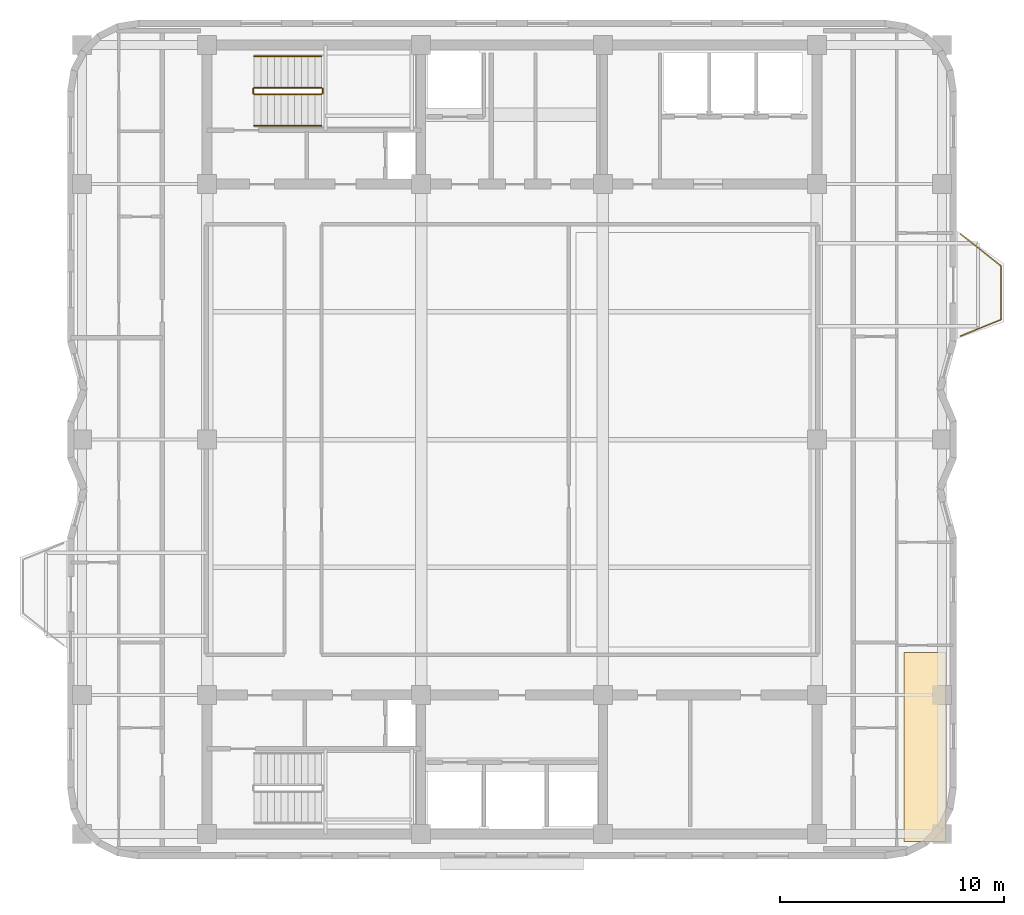
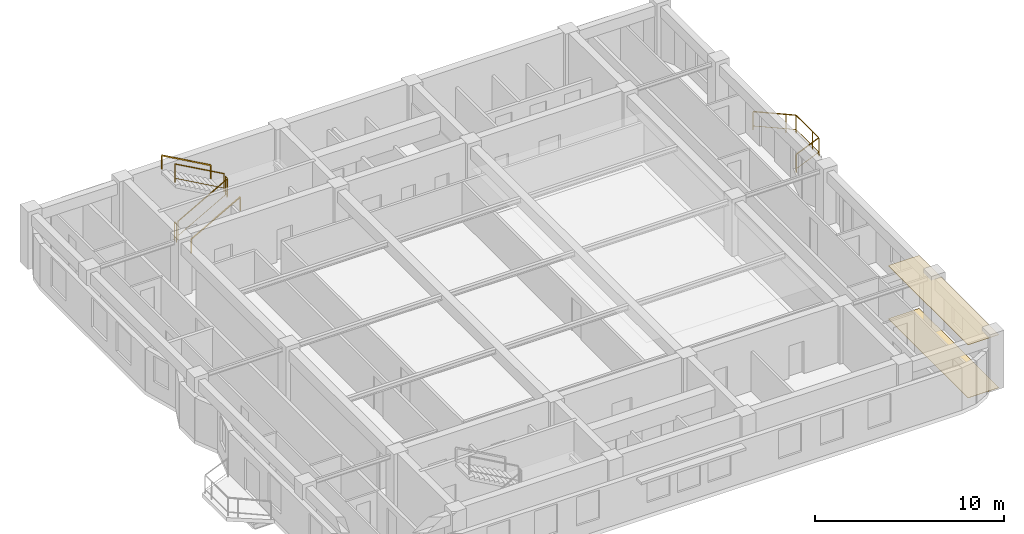
# One storey, part 8 of 8: 7 railings, 2 coverings.
"""IFC4 building model written with IfcOpenShell, lengths in metres."""

from ifc_helpers import new_model, si_unit, direction, frame, origin, origin_2d, place, context, subcontext, project, spatial, polyline, rectangle, outline, extrude, material, layer, layer_set, type_object, element, save


model = new_model("IFC4")

# Units and contexts
model_context = context("Model", 3, precision=1e-05, world=origin(), true_north=direction((0.0, 1.0)))
body_context = subcontext(model_context, "Body", "Model", "MODEL_VIEW")
ifc_project = project(units=[si_unit("LENGTHUNIT", "METRE"), si_unit("AREAUNIT", "SQUARE_METRE"), si_unit("VOLUMEUNIT", "CUBIC_METRE"), si_unit("PLANEANGLEUNIT", "RADIAN"), si_unit("MASSUNIT", "GRAM", prefix="KILO")], contexts=[model_context])

# Site, building, storey
site_placement = place(None, origin())
site = spatial("IfcSite", under=ifc_project, at=site_placement, CompositionType="ELEMENT")
building_placement = place(site_placement, origin())
building = spatial("IfcBuilding", under=site, at=building_placement, Name="Svetorya Sky Lyceum", CompositionType="ELEMENT")
storey_placement = place(building_placement, frame((0.0, 0.0, 248.0)))
storey = spatial("IfcBuildingStorey", under=building, at=storey_placement, Name="L62", CompositionType="ELEMENT", Elevation=248.0)

# Coverings
ifc_material_1 = material(Name="Fire-retardant birch acoustic slat ceiling")
ifc_layer_1 = layer(ifc_material_1, 0.031982421875)
ifc_layer_set_1 = layer_set([ifc_layer_1], Name="Fire-retardant birch acoustic slat ceiling")
covering_type_1 = type_object("IfcCoveringType", Name="COV-CLG-WD32", PredefinedType="CEILING", material=ifc_layer_set_1)
covering_1_placement = place(storey_placement, frame((0.0, 0.0, 3.41796875)))
element("IfcCovering", 1, at=covering_1_placement, inside=storey, type_object=covering_type_1, Name="Apartment E1 Living Room Acoustic Ceiling", PredefinedType="CEILING", context=body_context, shape_type="SweptSolid", body=[
    extrude(outline(polyline([(56.679931640625, 10.280029296875), (58.570068359375, 10.280029296875), (58.570068359375, 18.7099609375), (56.679931640625, 18.7099609375), (56.679931640625, 10.280029296875)])), origin(), (0.0, 0.0, 1.0), 0.031982421875),
])
ifc_material_2 = material(Name="Vitrified porcelain slip-resistant tile flooring")
ifc_layer_2 = layer(ifc_material_2, 0.02587890625)
ifc_layer_set_2 = layer_set([ifc_layer_2], Name="Vitrified porcelain slip-resistant tile flooring")
covering_type_2 = type_object("IfcCoveringType", Name="COV-FLR-POR26", PredefinedType="FLOORING", material=ifc_layer_set_2)
covering_2_placement = place(storey_placement, origin())
element("IfcCovering", 2, at=covering_2_placement, inside=storey, type_object=covering_type_2, Name="Apartment E1 Living Room Architectural Flooring", PredefinedType="FLOORING", context=body_context, shape_type="SweptSolid", body=[
    extrude(outline(polyline([(56.679931640625, 10.280029296875), (58.570068359375, 10.280029296875), (58.570068359375, 18.7099609375), (56.679931640625, 18.7099609375), (56.679931640625, 10.280029296875)])), origin(), (0.0, 0.0, 1.0), 0.02587890625),
])

# Railings
ifc_material_3 = material(Name="Laminated safety glass and stainless AISI 316", Category="glass")
railing_type_1 = type_object("IfcRailingType", Name="RL-BAL-1200", PredefinedType="BALUSTRADE", material=ifc_material_3)
railing_1_placement = place(storey_placement, frame((59.2099609375, 37.3798828125, 0.0)))
element("IfcRailing", 3, at=railing_1_placement, inside=storey, type_object=railing_type_1, Name="L62 Balcony Balustrade BAL-E1", PredefinedType="BALUSTRADE", context=body_context, shape_type="SweptSolid", body=[
    extrude(rectangle(XDim=0.048095703125, YDim=0.048095703125, at=origin_2d()), frame((0.0, 0.0, 1.17578125), z_axis=(0.783008919264, -0.622010476079, 0.0), x_axis=(0.622010476079, 0.783008919264, 0.0)), (0.0, 0.0, 1.0), 2.298828125),
    extrude(rectangle(XDim=0.02392578125, YDim=0.02392578125, at=origin_2d()), frame((0.0, 0.0, 0.25), z_axis=(0.783008919264, -0.622010476079, 0.0), x_axis=(0.622010476079, 0.783008919264, 0.0)), (0.0, 0.0, 1.0), 2.298828125),
    extrude(rectangle(XDim=0.048095703125, YDim=0.048095703125, at=origin_2d()), frame((1.800048828125, -1.429931640625, 1.17578125), z_axis=(0.0, -1.0, 0.0), x_axis=(1.0, 0.0, 0.0)), (0.0, 0.0, 1.0), 2.39990234375),
    extrude(rectangle(XDim=0.02392578125, YDim=0.02392578125, at=origin_2d()), frame((1.800048828125, -1.429931640625, 0.25), z_axis=(0.0, -1.0, 0.0), x_axis=(1.0, 0.0, 0.0)), (0.0, 0.0, 1.0), 2.39990234375),
    extrude(rectangle(XDim=0.048095703125, YDim=0.048095703125, at=origin_2d()), frame((1.800048828125, -3.829833984375, 1.17578125), z_axis=(-0.926697865975, -0.375807218129, 0.0), x_axis=(0.375807218129, -0.926697865975, 0.0)), (0.0, 0.0, 1.0), 1.9423828125),
    extrude(rectangle(XDim=0.02392578125, YDim=0.02392578125, at=origin_2d()), frame((1.800048828125, -3.829833984375, 0.25), z_axis=(-0.926697865975, -0.375807218129, 0.0), x_axis=(0.375807218129, -0.926697865975, 0.0)), (0.0, 0.0, 1.0), 1.9423828125),
    extrude(rectangle(XDim=0.0419921875, YDim=0.0419921875, at=origin_2d()), origin(), (0.0, 0.0, 1.0), 1.15185546875),
    extrude(rectangle(XDim=0.0419921875, YDim=0.0419921875, at=origin_2d()), frame((1.370361328125, -1.088623046875, 0.0)), (0.0, 0.0, 1.0), 1.15185546875),
    extrude(rectangle(XDim=0.0419921875, YDim=0.0419921875, at=origin_2d()), frame((1.800048828125, -1.429931640625, 0.0)), (0.0, 0.0, 1.0), 1.15185546875),
    extrude(rectangle(XDim=0.0419921875, YDim=0.0419921875, at=origin_2d()), frame((1.800048828125, -3.179931640625, 0.0)), (0.0, 0.0, 1.0), 1.15185546875),
    extrude(rectangle(XDim=0.0419921875, YDim=0.0419921875, at=origin_2d()), frame((1.800048828125, -3.829833984375, 0.0)), (0.0, 0.0, 1.0), 1.15185546875),
    extrude(rectangle(XDim=0.0419921875, YDim=0.0419921875, at=origin_2d()), frame((0.0, -4.559814453125, 0.0)), (0.0, 0.0, 1.0), 1.15185546875),
])
ifc_material_4 = material(Name="Painted galvanized stair well guard")
railing_type_2 = type_object("IfcRailingType", Name="RL-STR-GUARD-1200", PredefinedType="GUARDRAIL", material=ifc_material_4)
railing_2_placement = place(storey_placement, frame((27.699951171875, 43.60009765625, 0.168212890625)))
element("IfcRailing", 4, at=railing_2_placement, inside=storey, type_object=railing_type_2, Name="L62 ST-N stair guard 1", PredefinedType="GUARDRAIL", context=body_context, shape_type="SweptSolid", body=[
    extrude(rectangle(XDim=0.048095703125, YDim=0.048095703125, at=origin_2d()), frame((0.0, 0.0, 1.17578125), z_axis=(0.872272294576, 0.0, 0.489020494575), x_axis=(0.0, 1.0, 0.0)), (0.0, 0.0, 1.0), 3.439208984375),
    extrude(rectangle(XDim=0.02392578125, YDim=0.02392578125, at=origin_2d()), frame((0.0, 0.0, 0.25), z_axis=(0.872272294576, 0.0, 0.489020494575), x_axis=(0.0, 1.0, 0.0)), (0.0, 0.0, 1.0), 3.439208984375),
    extrude(rectangle(XDim=0.0419921875, YDim=0.0419921875, at=origin_2d()), origin(), (0.0, 0.0, 1.0), 1.15185546875),
    extrude(rectangle(XDim=0.0419921875, YDim=0.0419921875, at=origin_2d()), frame((3.0, 0.0, 1.681884765625)), (0.0, 0.0, 1.0), 1.15185546875),
])
railing_3_placement = place(storey_placement, frame((30.75, 43.64990234375, 1.85009765625)))
element("IfcRailing", 5, at=railing_3_placement, inside=storey, type_object=railing_type_2, Name="L62 ST-N stair guard 2", PredefinedType="GUARDRAIL", context=body_context, shape_type="SweptSolid", body=[
    extrude(rectangle(XDim=0.048095703125, YDim=0.048095703125, at=origin_2d()), frame((0.0, 0.0, 1.17578125), z_axis=(0.0, 1.0, 0.0), x_axis=(-1.0, 0.0, 0.0)), (0.0, 0.0, 1.0), 0.2001953125),
    extrude(rectangle(XDim=0.02392578125, YDim=0.02392578125, at=origin_2d()), frame((0.0, 0.0, 0.25), z_axis=(0.0, 1.0, 0.0), x_axis=(-1.0, 0.0, 0.0)), (0.0, 0.0, 1.0), 0.2001953125),
    extrude(rectangle(XDim=0.0419921875, YDim=0.0419921875, at=origin_2d()), origin(), (0.0, 0.0, 1.0), 1.15185546875),
    extrude(rectangle(XDim=0.0419921875, YDim=0.0419921875, at=origin_2d()), frame((0.0, 0.2001953125, 0.0)), (0.0, 0.0, 1.0), 1.15185546875),
])
railing_4_placement = place(storey_placement, frame((30.699951171875, 43.89990234375, 2.01806640625)))
element("IfcRailing", 6, at=railing_4_placement, inside=storey, type_object=railing_type_2, Name="L62 ST-N stair guard 3", PredefinedType="GUARDRAIL", context=body_context, shape_type="SweptSolid", body=[
    extrude(rectangle(XDim=0.048095703125, YDim=0.048095703125, at=origin_2d()), frame((0.0, 0.0, 1.17578125), z_axis=(-0.872272294576, 0.0, 0.489020494575), x_axis=(0.0, -1.0, 0.0)), (0.0, 0.0, 1.0), 3.439208984375),
    extrude(rectangle(XDim=0.02392578125, YDim=0.02392578125, at=origin_2d()), frame((0.0, 0.0, 0.25), z_axis=(-0.872272294576, 0.0, 0.489020494575), x_axis=(0.0, -1.0, 0.0)), (0.0, 0.0, 1.0), 3.439208984375),
    extrude(rectangle(XDim=0.0419921875, YDim=0.0419921875, at=origin_2d()), origin(), (0.0, 0.0, 1.0), 1.15185546875),
    extrude(rectangle(XDim=0.0419921875, YDim=0.0419921875, at=origin_2d()), frame((-3.0, 0.0, 1.681884765625)), (0.0, 0.0, 1.0), 1.15185546875),
])
railing_5_placement = place(storey_placement, frame((27.64990234375, 43.64990234375, 0.0)))
element("IfcRailing", 7, at=railing_5_placement, inside=storey, type_object=railing_type_2, Name="L62 ST-N stair guard 4", PredefinedType="GUARDRAIL", context=body_context, shape_type="SweptSolid", body=[
    extrude(rectangle(XDim=0.048095703125, YDim=0.048095703125, at=origin_2d()), frame((0.0, 0.0, 1.17578125), z_axis=(0.0, 1.0, 0.0), x_axis=(-1.0, 0.0, 0.0)), (0.0, 0.0, 1.0), 0.2001953125),
    extrude(rectangle(XDim=0.02392578125, YDim=0.02392578125, at=origin_2d()), frame((0.0, 0.0, 0.25), z_axis=(0.0, 1.0, 0.0), x_axis=(-1.0, 0.0, 0.0)), (0.0, 0.0, 1.0), 0.2001953125),
    extrude(rectangle(XDim=0.0419921875, YDim=0.0419921875, at=origin_2d()), origin(), (0.0, 0.0, 1.0), 1.15185546875),
    extrude(rectangle(XDim=0.0419921875, YDim=0.0419921875, at=origin_2d()), frame((0.0, 0.2001953125, 0.0)), (0.0, 0.0, 1.0), 1.15185546875),
])
ifc_material_5 = material(Name="Brushed stainless AISI 304 stair handrail")
railing_type_3 = type_object("IfcRailingType", Name="RL-STR-HAND-920", PredefinedType="HANDRAIL", material=ifc_material_5)
railing_6_placement = place(storey_placement, frame((27.699951171875, 42.199951171875, 0.168212890625)))
element("IfcRailing", 8, at=railing_6_placement, inside=storey, type_object=railing_type_3, Name="L62 ST-N stair handrail 1", PredefinedType="HANDRAIL", context=body_context, shape_type="SweptSolid", body=[
    extrude(rectangle(XDim=0.048095703125, YDim=0.048095703125, at=origin_2d()), frame((0.0, 0.0, 0.8759765625), z_axis=(0.872272294576, 0.0, 0.489020494575), x_axis=(0.0, 1.0, 0.0)), (0.0, 0.0, 1.0), 3.439208984375),
    extrude(rectangle(XDim=0.0419921875, YDim=0.0419921875, at=origin_2d()), origin(), (0.0, 0.0, 1.0), 0.851806640625),
    extrude(rectangle(XDim=0.0419921875, YDim=0.0419921875, at=origin_2d()), frame((3.0, 0.0, 1.681884765625)), (0.0, 0.0, 1.0), 0.851806640625),
])
railing_7_placement = place(storey_placement, frame((30.699951171875, 45.300048828125, 2.01806640625)))
element("IfcRailing", 9, at=railing_7_placement, inside=storey, type_object=railing_type_3, Name="L62 ST-N stair handrail 2", PredefinedType="HANDRAIL", context=body_context, shape_type="SweptSolid", body=[
    extrude(rectangle(XDim=0.048095703125, YDim=0.048095703125, at=origin_2d()), frame((0.0, 0.0, 0.8759765625), z_axis=(-0.872272294576, 0.0, 0.489020494575), x_axis=(0.0, -1.0, 0.0)), (0.0, 0.0, 1.0), 3.439208984375),
    extrude(rectangle(XDim=0.0419921875, YDim=0.0419921875, at=origin_2d()), origin(), (0.0, 0.0, 1.0), 0.851806640625),
    extrude(rectangle(XDim=0.0419921875, YDim=0.0419921875, at=origin_2d()), frame((-3.0, 0.0, 1.681884765625)), (0.0, 0.0, 1.0), 0.851806640625),
])

save(model, "model.ifc")
